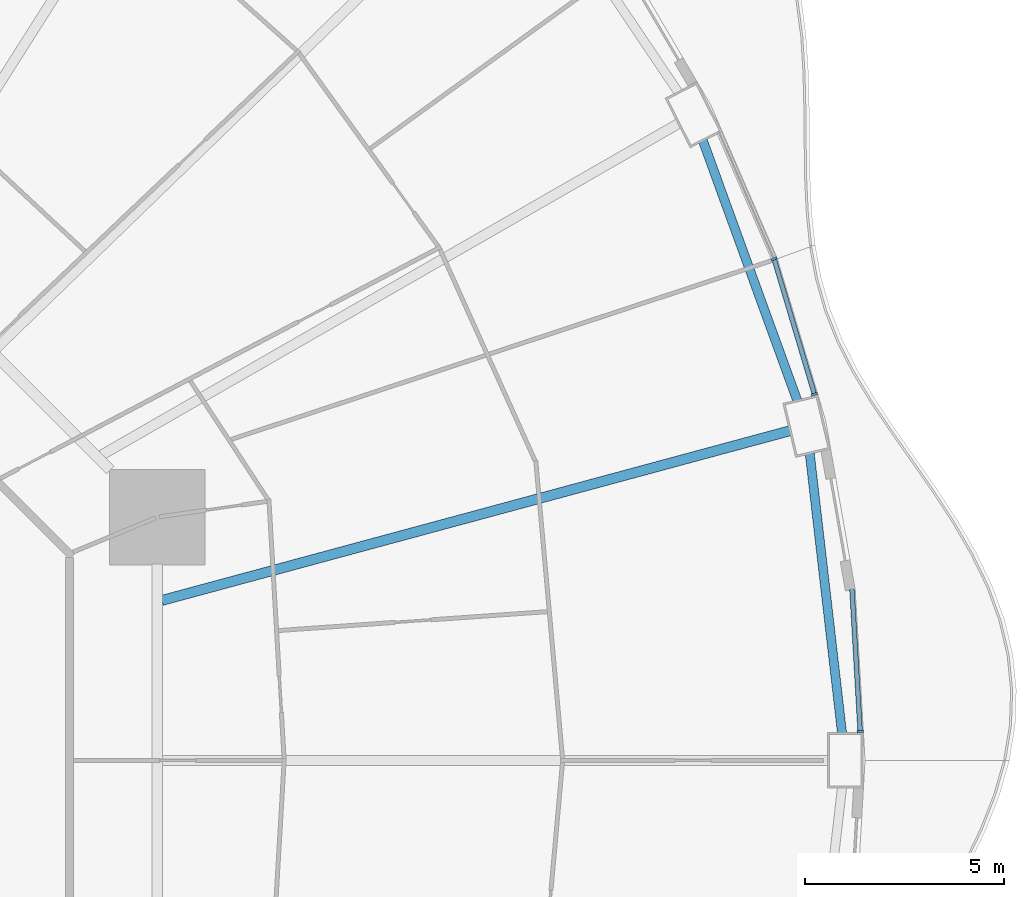
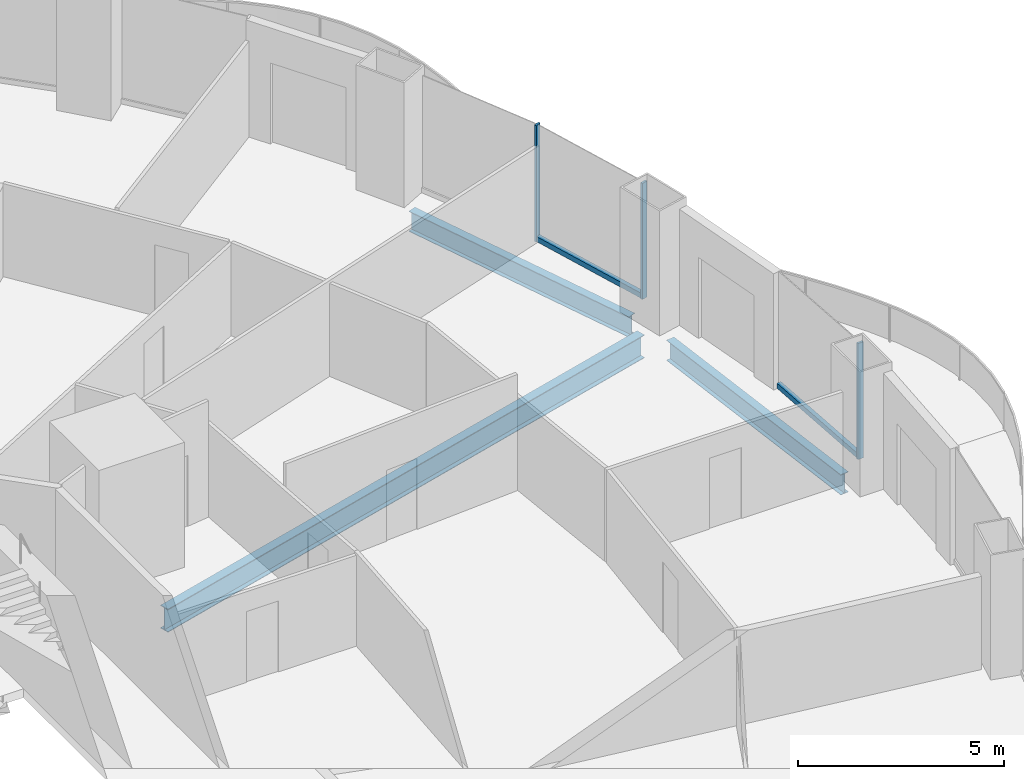
# One storey, part 9 of 22: 5 members, 3 beams, 3 elements without a shape of their own.
"""IFC4 building model written with IfcOpenShell, lengths in metres."""

from ifc_helpers import new_model, si_unit, direction, frame, origin, origin_2d, place, context, subcontext, project, spatial, rectangle, i_section, extrude, material, layer, layer_set, material_profile, profile_set, type_object, element, aggregate, save


model = new_model("IFC4")

# Units and contexts
model_context = context("Model", 3, precision=1e-05, world=origin(), true_north=direction((0.0, 1.0)))
body_context = subcontext(model_context, "Body", "Model", "MODEL_VIEW")
ifc_project = project(units=[si_unit("LENGTHUNIT", "METRE"), si_unit("AREAUNIT", "SQUARE_METRE"), si_unit("VOLUMEUNIT", "CUBIC_METRE"), si_unit("PLANEANGLEUNIT", "RADIAN"), si_unit("MASSUNIT", "GRAM", prefix="KILO")], contexts=[model_context])

# Site, building, storey
site_placement = place(None, origin())
site = spatial("IfcSite", under=ifc_project, at=site_placement, CompositionType="ELEMENT")
building_placement = place(site_placement, origin())
building = spatial("IfcBuilding", under=site, at=building_placement, Name="Nagisa Residences", CompositionType="ELEMENT")
storey_placement = place(building_placement, frame((0.0, 0.0, 30.699951171875)))
storey = spatial("IfcBuildingStorey", under=building, at=storey_placement, Name="L06", CompositionType="ELEMENT", Elevation=30.699951171875)

# Curtain wall, member
ifc_material_1 = material(Name="Concrete-coloured aluminium curtain wall system", Category="concrete")
ifc_layer = layer(ifc_material_1, 0.159912109375)
ifc_layer_set = layer_set([ifc_layer], Name="CW1 CURTAIN WALL")
curtain_wall_type = type_object("IfcCurtainWallType", Name="CW1 CURTAIN WALL", PredefinedType="NOTDEFINED", material=ifc_layer_set)
curtain_wall_1_placement = place(storey_placement, origin())
curtain_wall_1 = element("IfcCurtainWall", 1, at=curtain_wall_1_placement, inside=storey, type_object=curtain_wall_type, Name="cw:CW1:L06:00", PredefinedType="NOTDEFINED")
ifc_material_2 = material(Name="Concrete-coloured aluminium", Category="concrete")
ifc_material_profile_1 = material_profile(ifc_material_2, rectangle(XDim=0.159912109375, YDim=0.06005859375, at=origin_2d()), Name="CW1 MULLION 160x60")
ifc_profile_set_1 = profile_set([ifc_material_profile_1], Name="Concrete-coloured aluminium")
member_type_1 = type_object("IfcMemberType", Name="CW1 MULLION 160x60", PredefinedType="MULLION", material=ifc_profile_set_1)
member_1_placement = place(storey_placement, frame((32.478271484375, 0.72412109375, 0.0), z_axis=(0.0, 0.0, 1.0), x_axis=(-0.998345305184, -0.057503492216, 0.0)))
member_1 = element("IfcMember", 2, at=member_1_placement, type_object=member_type_1, Name="CW1 mullion", PredefinedType="MULLION", context=body_context, shape_type="SweptSolid", body=[
    extrude(rectangle(XDim=0.159912109375, YDim=0.06005859375, at=origin_2d()), origin(), (0.0, 0.0, 1.0), 3.43994140625),
])

curtain_wall_2_placement = place(storey_placement, origin())
curtain_wall_2 = element("IfcCurtainWall", 3, at=curtain_wall_2_placement, inside=storey, type_object=curtain_wall_type, Name="cw:CW1:L06:02", PredefinedType="NOTDEFINED")
member_2_placement = place(storey_placement, frame((31.326416015625, 9.2177734375, 0.0), z_axis=(0.0, 0.0, 1.0), x_axis=(-0.958271310082, -0.285860274038, 0.0)))
member_2 = element("IfcMember", 4, at=member_2_placement, type_object=member_type_1, Name="CW1 mullion", PredefinedType="MULLION", context=body_context, shape_type="SweptSolid", body=[
    extrude(rectangle(XDim=0.159912109375, YDim=0.06005859375, at=origin_2d()), origin(), (0.0, 0.0, 1.0), 3.43994140625),
])

curtain_wall_3_placement = place(storey_placement, origin())
curtain_wall_3 = element("IfcCurtainWall", 5, at=curtain_wall_3_placement, inside=storey, type_object=curtain_wall_type, Name="cw:CW1:L06:03", PredefinedType="NOTDEFINED")
member_3_placement = place(storey_placement, frame((30.30712890625, 12.624267578125, 0.0), z_axis=(0.0, 0.0, 1.0), x_axis=(-0.917543276295, -0.397635934147, 0.0)))
member_3 = element("IfcMember", 6, at=member_3_placement, type_object=member_type_1, Name="CW1 mullion", PredefinedType="MULLION", context=body_context, shape_type="SweptSolid", body=[
    extrude(rectangle(XDim=0.159912109375, YDim=0.06005859375, at=origin_2d()), origin(), (0.0, 0.0, 1.0), 3.43994140625),
])
aggregate(curtain_wall_3, [member_3])

# Member
ifc_material_3 = material(Name="Concrete-coloured aluminium", Category="concrete")
ifc_material_profile_2 = material_profile(ifc_material_3, rectangle(XDim=0.1201171875, YDim=0.14990234375, at=origin_2d()), Name="CW1 TRANSOM 120x150")
ifc_profile_set_2 = profile_set([ifc_material_profile_2], Name="Concrete-coloured aluminium")
member_type_2 = type_object("IfcMemberType", Name="CW1 TRANSOM 120x150", PredefinedType="USERDEFINED", material=ifc_profile_set_2)
member_4_placement = place(storey_placement, frame((32.47998046875, 0.6943359375, 0.074951171875), z_axis=(-0.057549926952, 0.998342629515, 0.0), x_axis=(-0.998342629515, -0.057549926952, 0.0)))
member_4 = element("IfcMember", 7, at=member_4_placement, type_object=member_type_2, Name="CW1 transom", ObjectType="TRANSOM", PredefinedType="USERDEFINED", context=body_context, shape_type="SweptSolid", body=[
    extrude(rectangle(XDim=0.1201171875, YDim=0.14990234375, at=origin_2d()), origin(), (0.0, 0.0, 1.0), 3.614501953125),
])

aggregate(curtain_wall_1, [member_1, member_4])

member_5_placement = place(storey_placement, frame((31.335205078125, 9.18896484375, 0.074951171875), z_axis=(-0.285871309426, 0.958268018065, 0.0), x_axis=(-0.958268018065, -0.285871309426, 0.0)))
member_5 = element("IfcMember", 8, at=member_5_placement, type_object=member_type_2, Name="CW1 transom", ObjectType="TRANSOM", PredefinedType="USERDEFINED", context=body_context, shape_type="SweptSolid", body=[
    extrude(rectangle(XDim=0.1201171875, YDim=0.14990234375, at=origin_2d()), origin(), (0.0, 0.0, 1.0), 3.5654296875),
])

aggregate(curtain_wall_2, [member_2, member_5])

# Beams
ifc_material_4 = material(Name="Steel ASTM A572 Gr 50", Category="steel")
ifc_material_profile_3 = material_profile(ifc_material_4, i_section(OverallWidth=0.22802734375, OverallDepth=0.60302734375, WebThickness=0.010498046875, FlangeThickness=0.014892578125, at=origin_2d()), Name="W610x101")
ifc_profile_set_3 = profile_set([ifc_material_profile_3], Name="Steel ASTM A572 Gr 50")
beam_type_1 = type_object("IfcBeamType", Name="Perimeter ring beam W610x101", PredefinedType="BEAM", material=ifc_profile_set_3)
beam_1_placement = place(storey_placement, frame((32.021484375, 0.68017578125, -0.5615234375), z_axis=(-0.114673717321, 0.993403210462, 0.0), x_axis=(-0.993403210462, -0.114673717321, 0.0)))
element("IfcBeam", 9, at=beam_1_placement, inside=storey, type_object=beam_type_1, Name="beam:L06:pb01", PredefinedType="BEAM", context=body_context, shape_type="SweptSolid", body=[
    extrude(i_section(OverallWidth=0.22802734375, OverallDepth=0.60302734375, WebThickness=0.010498046875, FlangeThickness=0.014892578125, at=origin_2d()), origin(), (0.0, 0.0, 1.0), 7.09814453125),
])
beam_2_placement = place(storey_placement, frame((30.89501953125, 9.055419921875, -0.5615234375), z_axis=(-0.341411143183, 0.939914055279, 0.0), x_axis=(-0.939914055279, -0.341411143183, 0.0)))
element("IfcBeam", 10, at=beam_2_placement, inside=storey, type_object=beam_type_1, Name="beam:L06:pb02", PredefinedType="BEAM", context=body_context, shape_type="SweptSolid", body=[
    extrude(i_section(OverallWidth=0.22802734375, OverallDepth=0.60302734375, WebThickness=0.010498046875, FlangeThickness=0.014892578125, at=origin_2d()), origin(), (0.0, 0.0, 1.0), 6.96923828125),
])
ifc_material_5 = material(Name="Steel ASTM A572 Gr 50", Category="steel")
ifc_material_profile_4 = material_profile(ifc_material_5, i_section(OverallWidth=0.25390625, OverallDepth=0.68408203125, WebThickness=0.012451171875, FlangeThickness=0.018798828125, at=origin_2d()), Name="W690x140")
ifc_profile_set_4 = profile_set([ifc_material_profile_4], Name="Steel ASTM A572 Gr 50")
beam_type_2 = type_object("IfcBeamType", Name="Radial beam W690x140", PredefinedType="BEAM", material=ifc_profile_set_4)
beam_3_placement = place(storey_placement, frame((30.713623046875, 8.29931640625, -0.60205078125), z_axis=(-0.965375968847, -0.260862490162, 0.0), x_axis=(0.260862490162, -0.965375968847, 0.0)))
element("IfcBeam", 11, at=beam_3_placement, inside=storey, type_object=beam_type_2, Name="beam:L06:rb02", PredefinedType="BEAM", context=body_context, shape_type="SweptSolid", body=[
    extrude(i_section(OverallWidth=0.25390625, OverallDepth=0.68408203125, WebThickness=0.012451171875, FlangeThickness=0.018798828125, at=origin_2d()), origin(), (0.0, 0.0, 1.0), 16.3857421875),
])

save(model, "model.ifc")
